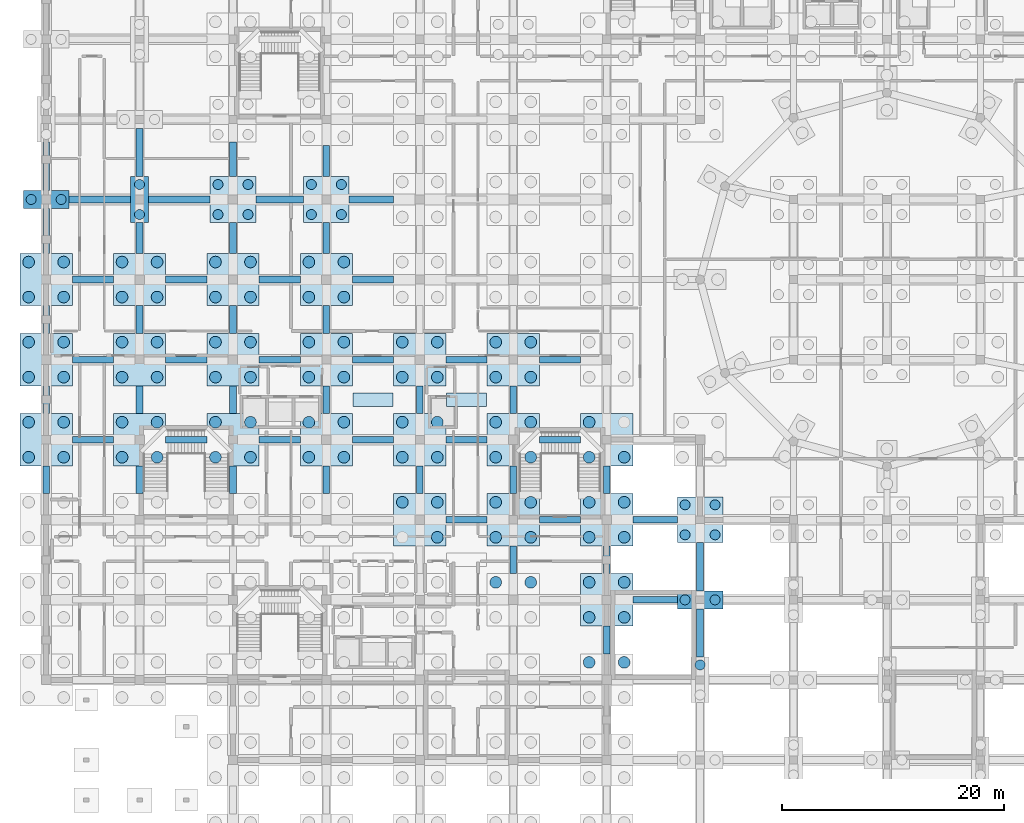
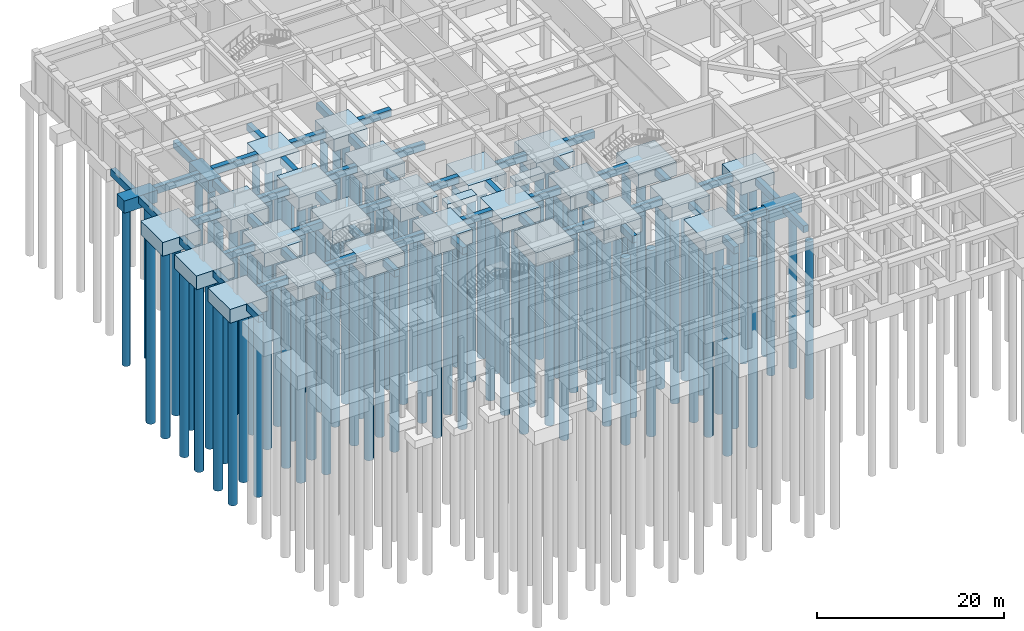
# One storey, part 2 of 32: 105 piles, 83 footings.
"""IFC4 building model written with IfcOpenShell, lengths in metres."""

from ifc_helpers import new_model, si_unit, derived_unit, direction, frame, origin, origin_2d, place, context, subcontext, project, spatial, rectangle, circle, extrude, material, material_profile, profile_set, type_object, element, save


model = new_model("IFC4")

# Units and contexts
model_context = context("Model", 3, precision=1e-05, world=origin(), true_north=direction((0.0, 1.0)))
body_context = subcontext(model_context, "Body", "Model", "MODEL_VIEW")
ifc_project = project(units=[si_unit("LENGTHUNIT", "METRE"), si_unit("AREAUNIT", "SQUARE_METRE"), si_unit("VOLUMEUNIT", "CUBIC_METRE"), si_unit("PLANEANGLEUNIT", "RADIAN"), si_unit("MASSUNIT", "GRAM", prefix="KILO"), derived_unit("THERMALTRANSMITTANCEUNIT", [(si_unit("POWERUNIT", "WATT"), 1), (si_unit("LENGTHUNIT", "METRE"), -2), (si_unit("THERMODYNAMICTEMPERATUREUNIT", "KELVIN"), -1)])], contexts=[model_context])

# Site, building, storey
site_placement = place(None, origin())
site = spatial("IfcSite", under=ifc_project, at=site_placement, CompositionType="ELEMENT")
building_placement = place(site_placement, origin())
building = spatial("IfcBuilding", under=site, at=building_placement, Name="Veybourne Emporium", CompositionType="ELEMENT")
storey_placement = place(building_placement, frame((0.0, 0.0, -5.39990234375)))
storey = spatial("IfcBuildingStorey", under=building, at=storey_placement, Name="B1", CompositionType="ELEMENT", Elevation=-5.39990234375)

# Footings
ifc_material = material(Name="Concrete C35/45", Category="concrete")
footing_type_1 = type_object("IfcFootingType", Name="GroundBeam_GB-2500", PredefinedType="FOOTING_BEAM", material=ifc_material)
for number, where, z_axis, x_axis, name in (
    (1, (0.0, 32.39990234375, -0.900146484375), (0.0, 0.0, 1.0), (0.0, 1.0, 0.0), "Ground tie beam GB-2500"),
    (2, (0.0, 39.60009765625, -0.900146484375), (0.0, 0.0, 1.0), (0.0, 1.0, 0.0), "Ground tie beam GB-2500"),
    (3, (0.0, 46.800048828125, -0.900146484375), (0.0, 0.0, 1.0), (0.0, 1.0, 0.0), "Ground tie beam GB-2500"),
    (4, (8.39990234375, 32.39990234375, -0.900146484375), (0.0, 0.0, 1.0), (0.0, 1.0, 0.0), "Ground tie beam GB-2500"),
    (5, (8.39990234375, 39.60009765625, -0.900146484375), (0.0, 0.0, 1.0), (0.0, 1.0, 0.0), "Ground tie beam GB-2500"),
    (6, (8.39990234375, 46.800048828125, -0.900146484375), (0.0, 0.0, 1.0), (0.0, 1.0, 0.0), "Ground tie beam GB-2500"),
    (7, (16.800048828125, 32.39990234375, -0.900146484375), (0.0, 0.0, 1.0), (0.0, 1.0, 0.0), "Ground tie beam GB-2500"),
    (8, (16.800048828125, 39.60009765625, -0.900146484375), (0.0, 0.0, 1.0), (0.0, 1.0, 0.0), "Ground tie beam GB-2500"),
    (9, (16.800048828125, 46.800048828125, -0.900146484375), (0.0, 0.0, 1.0), (0.0, 1.0, 0.0), "Ground tie beam GB-2500"),
    (10, (25.199951171875, 32.39990234375, -0.900146484375), (0.0, 0.0, 1.0), (0.0, 1.0, 0.0), "Ground tie beam GB-2500"),
    (11, (25.199951171875, 39.60009765625, -0.900146484375), (0.0, 0.0, 1.0), (0.0, 1.0, 0.0), "Ground tie beam GB-2500"),
    (12, (25.199951171875, 46.800048828125, -0.900146484375), (0.0, 0.0, 1.0), (0.0, 1.0, 0.0), "Ground tie beam GB-2500"),
    (13, (33.60009765625, 32.39990234375, -0.900146484375), (0.0, 0.0, 1.0), (0.0, 1.0, 0.0), "Ground tie beam GB-2500"),
    (14, (33.60009765625, 39.60009765625, -0.900146484375), (0.0, 0.0, 1.0), (0.0, 1.0, 0.0), "Ground tie beam GB-2500"),
    (15, (42.0, 25.199951171875, -0.900146484375), (0.0, 0.0, 1.0), (0.0, 1.0, 0.0), "Ground tie beam GB-2500"),
    (16, (42.0, 32.39990234375, -0.900146484375), (0.0, 0.0, 1.0), (0.0, 1.0, 0.0), "Ground tie beam GB-2500"),
    (17, (42.0, 39.60009765625, -0.900146484375), (0.0, 0.0, 1.0), (0.0, 1.0, 0.0), "Ground tie beam GB-2500"),
    (18, (50.39990234375, 18.0, -0.900146484375), (0.0, 0.0, 1.0), (0.0, 1.0, 0.0), "Ground tie beam GB-2500"),
    (19, (50.39990234375, 25.199951171875, -0.900146484375), (0.0, 0.0, 1.0), (0.0, 1.0, 0.0), "Ground tie beam GB-2500"),
    (20, (50.39990234375, 32.39990234375, -0.900146484375), (0.0, 0.0, 1.0), (0.0, 1.0, 0.0), "Ground tie beam GB-2500"),
):
    element("IfcFooting", number, at=place(storey_placement, frame(where, z_axis=z_axis, x_axis=x_axis)), inside=storey, type_object=footing_type_1, Name=name, PredefinedType="FOOTING_BEAM", context=body_context, shape_type="SweptSolid", body=[
        extrude(rectangle(XDim=2.5, YDim=0.60009765625, at=origin_2d()), origin(), (0.0, 0.0, 1.0), 0.89990234375),
    ])
footing_type_2 = type_object("IfcFootingType", Name="GroundBeam_GB-2800", PredefinedType="FOOTING_BEAM", material=ifc_material)
for number, where, z_axis, x_axis, name in (
    (21, (8.39990234375, 54.14990234375, -0.900146484375), (0.0, 0.0, 1.0), (0.0, 1.0, 0.0), "Ground tie beam GB-2800"),
    (22, (16.800048828125, 54.14990234375, -0.900146484375), (0.0, 0.0, 1.0), (0.0, 1.0, 0.0), "Ground tie beam GB-2800"),
    (23, (25.199951171875, 54.14990234375, -0.900146484375), (0.0, 0.0, 1.0), (0.0, 1.0, 0.0), "Ground tie beam GB-2800"),
    (24, (25.199951171875, 61.050048828125, -0.900146484375), (0.0, 0.0, 1.0), (0.0, 1.0, 0.0), "Ground tie beam GB-2800"),
):
    element("IfcFooting", number, at=place(storey_placement, frame(where, z_axis=z_axis, x_axis=x_axis)), inside=storey, type_object=footing_type_2, Name=name, PredefinedType="FOOTING_BEAM", context=body_context, shape_type="SweptSolid", body=[
        extrude(rectangle(XDim=2.800048828125, YDim=0.60009765625, at=origin_2d()), origin(), (0.0, 0.0, 1.0), 0.89990234375),
    ])
footing_type_3 = type_object("IfcFootingType", Name="GroundBeam_GB-3100", PredefinedType="FOOTING_BEAM", material=ifc_material)
footing_1_placement = place(storey_placement, frame((16.800048828125, 61.199951171875, -0.900146484375), z_axis=(0.0, 0.0, 1.0), x_axis=(0.0, 1.0, 0.0)))
element("IfcFooting", 25, at=footing_1_placement, inside=storey, type_object=footing_type_3, Name="Ground tie beam GB-3100", PredefinedType="FOOTING_BEAM", context=body_context, shape_type="SweptSolid", body=[
    extrude(rectangle(XDim=3.10009765625, YDim=0.60009765625, at=origin_2d()), origin(), (0.0, 0.0, 1.0), 0.89990234375),
])
footing_type_4 = type_object("IfcFootingType", Name="GroundBeam_GB-3700", PredefinedType="FOOTING_BEAM", material=ifc_material)
for number, where, z_axis, x_axis, name in (
    (26, (4.199951171875, 36.0, -0.900146484375), (0.0, 0.0, 1.0), (1.0, 0.0, 0.0), "Ground tie beam GB-3700"),
    (27, (4.199951171875, 43.199951171875, -0.900146484375), (0.0, 0.0, 1.0), (1.0, 0.0, 0.0), "Ground tie beam GB-3700"),
    (28, (4.199951171875, 50.39990234375, -0.900146484375), (0.0, 0.0, 1.0), (1.0, 0.0, 0.0), "Ground tie beam GB-3700"),
    (29, (12.60009765625, 36.0, -0.900146484375), (0.0, 0.0, 1.0), (1.0, 0.0, 0.0), "Ground tie beam GB-3700"),
    (30, (12.60009765625, 43.199951171875, -0.900146484375), (0.0, 0.0, 1.0), (1.0, 0.0, 0.0), "Ground tie beam GB-3700"),
    (31, (12.60009765625, 50.39990234375, -0.900146484375), (0.0, 0.0, 1.0), (1.0, 0.0, 0.0), "Ground tie beam GB-3700"),
    (32, (21.0, 36.0, -0.900146484375), (0.0, 0.0, 1.0), (1.0, 0.0, 0.0), "Ground tie beam GB-3700"),
    (33, (21.0, 43.199951171875, -0.900146484375), (0.0, 0.0, 1.0), (1.0, 0.0, 0.0), "Ground tie beam GB-3700"),
    (34, (21.0, 50.39990234375, -0.900146484375), (0.0, 0.0, 1.0), (1.0, 0.0, 0.0), "Ground tie beam GB-3700"),
    (35, (29.39990234375, 36.0, -0.900146484375), (0.0, 0.0, 1.0), (1.0, 0.0, 0.0), "Ground tie beam GB-3700"),
    (36, (29.39990234375, 43.199951171875, -0.900146484375), (0.0, 0.0, 1.0), (1.0, 0.0, 0.0), "Ground tie beam GB-3700"),
    (37, (29.39990234375, 50.39990234375, -0.900146484375), (0.0, 0.0, 1.0), (1.0, 0.0, 0.0), "Ground tie beam GB-3700"),
    (38, (37.800048828125, 28.800048828125, -0.900146484375), (0.0, 0.0, 1.0), (1.0, 0.0, 0.0), "Ground tie beam GB-3700"),
    (39, (37.800048828125, 36.0, -0.900146484375), (0.0, 0.0, 1.0), (1.0, 0.0, 0.0), "Ground tie beam GB-3700"),
    (40, (37.800048828125, 43.199951171875, -0.900146484375), (0.0, 0.0, 1.0), (1.0, 0.0, 0.0), "Ground tie beam GB-3700"),
    (41, (46.199951171875, 28.800048828125, -0.900146484375), (0.0, 0.0, 1.0), (1.0, 0.0, 0.0), "Ground tie beam GB-3700"),
    (42, (46.199951171875, 36.0, -0.900146484375), (0.0, 0.0, 1.0), (1.0, 0.0, 0.0), "Ground tie beam GB-3700"),
    (43, (46.199951171875, 43.199951171875, -0.900146484375), (0.0, 0.0, 1.0), (1.0, 0.0, 0.0), "Ground tie beam GB-3700"),
):
    element("IfcFooting", number, at=place(storey_placement, frame(where, z_axis=z_axis, x_axis=x_axis)), inside=storey, type_object=footing_type_4, Name=name, PredefinedType="FOOTING_BEAM", context=body_context, shape_type="SweptSolid", body=[
        extrude(rectangle(XDim=3.699951171875, YDim=0.60009765625, at=origin_2d()), origin(), (0.0, 0.0, 1.0), 0.89990234375),
    ])
footing_type_5 = type_object("IfcFootingType", Name="GroundBeam_GB-4000", PredefinedType="FOOTING_BEAM", material=ifc_material)
for number, where, z_axis, x_axis, name in (
    (44, (29.25, 57.60009765625, -0.900146484375), (0.0, 0.0, 1.0), (1.0, 0.0, 0.0), "Ground tie beam GB-4000"),
    (45, (54.75, 21.60009765625, -0.900146484375), (0.0, 0.0, 1.0), (1.0, 0.0, 0.0), "Ground tie beam GB-4000"),
    (46, (54.75, 28.800048828125, -0.900146484375), (0.0, 0.0, 1.0), (1.0, 0.0, 0.0), "Ground tie beam GB-4000"),
):
    element("IfcFooting", number, at=place(storey_placement, frame(where, z_axis=z_axis, x_axis=x_axis)), inside=storey, type_object=footing_type_5, Name=name, PredefinedType="FOOTING_BEAM", context=body_context, shape_type="SweptSolid", body=[
        extrude(rectangle(XDim=4.0, YDim=0.60009765625, at=origin_2d()), origin(), (0.0, 0.0, 1.0), 0.89990234375),
    ])
footing_type_6 = type_object("IfcFootingType", Name="GroundBeam_GB-4050", PredefinedType="FOOTING_BEAM", material=ifc_material)
footing_2_placement = place(storey_placement, frame((0.0, 54.77490234375, -0.900146484375), z_axis=(0.0, 0.0, 1.0), x_axis=(0.0, 1.0, 0.0)))
element("IfcFooting", 47, at=footing_2_placement, inside=storey, type_object=footing_type_6, Name="Ground tie beam GB-4050", PredefinedType="FOOTING_BEAM", context=body_context, shape_type="SweptSolid", body=[
    extrude(rectangle(XDim=4.050048828125, YDim=0.60009765625, at=origin_2d()), origin(), (0.0, 0.0, 1.0), 0.89990234375),
])
footing_type_7 = type_object("IfcFootingType", Name="GroundBeam_GB-4300", PredefinedType="FOOTING_BEAM", material=ifc_material)
footing_3_placement = place(storey_placement, frame((21.0, 57.60009765625, -0.900146484375), z_axis=(0.0, 0.0, 1.0), x_axis=(1.0, 0.0, 0.0)))
element("IfcFooting", 48, at=footing_3_placement, inside=storey, type_object=footing_type_7, Name="Ground tie beam GB-4300", PredefinedType="FOOTING_BEAM", context=body_context, shape_type="SweptSolid", body=[
    extrude(rectangle(XDim=4.300048828125, YDim=0.60009765625, at=origin_2d()), origin(), (0.0, 0.0, 1.0), 0.89990234375),
])
footing_type_8 = type_object("IfcFootingType", Name="GroundBeam_GB-4350", PredefinedType="FOOTING_BEAM", material=ifc_material)
for number, where, z_axis, x_axis, name in (
    (49, (0.0, 60.574951171875, -0.900146484375), (0.0, 0.0, 1.0), (0.0, 1.0, 0.0), "Ground tie beam GB-4350"),
    (50, (8.39990234375, 61.824951171875, -0.900146484375), (0.0, 0.0, 1.0), (0.0, 1.0, 0.0), "Ground tie beam GB-4350"),
    (51, (58.800048828125, 18.625, -0.900146484375), (0.0, 0.0, 1.0), (0.0, 1.0, 0.0), "Ground tie beam GB-4350"),
    (52, (58.800048828125, 24.574951171875, -0.900146484375), (0.0, 0.0, 1.0), (0.0, 1.0, 0.0), "Ground tie beam GB-4350"),
):
    element("IfcFooting", number, at=place(storey_placement, frame(where, z_axis=z_axis, x_axis=x_axis)), inside=storey, type_object=footing_type_8, Name=name, PredefinedType="FOOTING_BEAM", context=body_context, shape_type="SweptSolid", body=[
        extrude(rectangle(XDim=4.35009765625, YDim=0.60009765625, at=origin_2d()), origin(), (0.0, 0.0, 1.0), 0.89990234375),
    ])
footing_type_9 = type_object("IfcFootingType", Name="GroundBeam_GB-5550", PredefinedType="FOOTING_BEAM", material=ifc_material)
for number, where, z_axis, x_axis, name in (
    (53, (4.824951171875, 57.60009765625, -0.900146484375), (0.0, 0.0, 1.0), (1.0, 0.0, 0.0), "Ground tie beam GB-5550"),
    (54, (11.97509765625, 57.60009765625, -0.900146484375), (0.0, 0.0, 1.0), (1.0, 0.0, 0.0), "Ground tie beam GB-5550"),
):
    element("IfcFooting", number, at=place(storey_placement, frame(where, z_axis=z_axis, x_axis=x_axis)), inside=storey, type_object=footing_type_9, Name=name, PredefinedType="FOOTING_BEAM", context=body_context, shape_type="SweptSolid", body=[
        extrude(rectangle(XDim=5.550048828125, YDim=0.60009765625, at=origin_2d()), origin(), (0.0, 0.0, 1.0), 0.89990234375),
    ])
footing_type_10 = type_object("IfcFootingType", Name="PileCap_PC-02", PredefinedType="PILE_CAP", material=ifc_material)
for number, where, z_axis, x_axis, name in (
    (55, (0.0, 57.60009765625, -1.60009765625), (0.0, 0.0, 1.0), (1.0, 0.0, 0.0), "Pile cap PC-02 at grid (0,8)"),
    (56, (58.800048828125, 21.60009765625, -1.60009765625), (0.0, 0.0, 1.0), (1.0, 0.0, 0.0), "Pile cap PC-02 at grid (7,3)"),
):
    element("IfcFooting", number, at=place(storey_placement, frame(where, z_axis=z_axis, x_axis=x_axis)), inside=storey, type_object=footing_type_10, Name=name, PredefinedType="PILE_CAP", context=body_context, shape_type="SweptSolid", body=[
        extrude(rectangle(XDim=4.10009765625, YDim=1.60009765625, at=origin_2d()), origin(), (0.0, 0.0, 1.0), 1.60009765625),
    ])
footing_type_11 = type_object("IfcFootingType", Name="PileCap_PC-03", PredefinedType="PILE_CAP", material=ifc_material)
footing_4_placement = place(storey_placement, frame((8.39990234375, 57.60009765625, -1.60009765625), z_axis=(0.0, 0.0, 1.0), x_axis=(1.0, 0.0, 0.0)))
element("IfcFooting", 57, at=footing_4_placement, inside=storey, type_object=footing_type_11, Name="Pile cap PC-03 at grid (1,8)", PredefinedType="PILE_CAP", context=body_context, shape_type="SweptSolid", body=[
    extrude(rectangle(XDim=1.60009765625, YDim=4.10009765625, at=origin_2d()), origin(), (0.0, 0.0, 1.0), 1.60009765625),
])
footing_type_12 = type_object("IfcFootingType", Name="PileCap_PC-04", PredefinedType="PILE_CAP", material=ifc_material)
for number, where, z_axis, x_axis, name in (
    (58, (16.800048828125, 57.60009765625, -1.60009765625), (0.0, 0.0, 1.0), (1.0, 0.0, 0.0), "Pile cap PC-04 at grid (2,8)"),
    (59, (25.199951171875, 57.60009765625, -1.60009765625), (0.0, 0.0, 1.0), (1.0, 0.0, 0.0), "Pile cap PC-04 at grid (3,8)"),
    (60, (58.800048828125, 28.800048828125, -1.60009765625), (0.0, 0.0, 1.0), (1.0, 0.0, 0.0), "Pile cap PC-04 at grid (7,4)"),
):
    element("IfcFooting", number, at=place(storey_placement, frame(where, z_axis=z_axis, x_axis=x_axis)), inside=storey, type_object=footing_type_12, Name=name, PredefinedType="PILE_CAP", context=body_context, shape_type="SweptSolid", body=[
        extrude(rectangle(XDim=4.10009765625, YDim=4.10009765625, at=origin_2d()), origin(), (0.0, 0.0, 1.0), 1.60009765625),
    ])
footing_type_13 = type_object("IfcFootingType", Name="PileCap_PC-05", PredefinedType="PILE_CAP", material=ifc_material)
for number, where, z_axis, x_axis, name in (
    (61, (0.0, 36.0, -1.80029296875), (0.0, 0.0, 1.0), (1.0, 0.0, 0.0), "Pile cap PC-05 at grid (0,5)"),
    (62, (0.0, 43.199951171875, -1.80029296875), (0.0, 0.0, 1.0), (1.0, 0.0, 0.0), "Pile cap PC-05 at grid (0,6)"),
    (63, (0.0, 50.39990234375, -1.80029296875), (0.0, 0.0, 1.0), (1.0, 0.0, 0.0), "Pile cap PC-05 at grid (0,7)"),
    (64, (8.39990234375, 36.0, -1.80029296875), (0.0, 0.0, 1.0), (1.0, 0.0, 0.0), "Pile cap PC-05 at grid (1,5)"),
    (65, (8.39990234375, 43.199951171875, -1.80029296875), (0.0, 0.0, 1.0), (1.0, 0.0, 0.0), "Pile cap PC-05 at grid (1,6)"),
    (66, (8.39990234375, 50.39990234375, -1.80029296875), (0.0, 0.0, 1.0), (1.0, 0.0, 0.0), "Pile cap PC-05 at grid (1,7)"),
    (67, (16.800048828125, 36.0, -1.80029296875), (0.0, 0.0, 1.0), (1.0, 0.0, 0.0), "Pile cap PC-05 at grid (2,5)"),
    (68, (16.800048828125, 43.199951171875, -1.80029296875), (0.0, 0.0, 1.0), (1.0, 0.0, 0.0), "Pile cap PC-05 at grid (2,6)"),
    (69, (16.800048828125, 50.39990234375, -1.80029296875), (0.0, 0.0, 1.0), (1.0, 0.0, 0.0), "Pile cap PC-05 at grid (2,7)"),
    (70, (25.199951171875, 36.0, -1.80029296875), (0.0, 0.0, 1.0), (1.0, 0.0, 0.0), "Pile cap PC-05 at grid (3,5)"),
    (71, (25.199951171875, 43.199951171875, -1.80029296875), (0.0, 0.0, 1.0), (1.0, 0.0, 0.0), "Pile cap PC-05 at grid (3,6)"),
    (72, (25.199951171875, 50.39990234375, -1.80029296875), (0.0, 0.0, 1.0), (1.0, 0.0, 0.0), "Pile cap PC-05 at grid (3,7)"),
    (73, (33.60009765625, 28.800048828125, -1.80029296875), (0.0, 0.0, 1.0), (1.0, 0.0, 0.0), "Pile cap PC-05 at grid (4,4)"),
    (74, (33.60009765625, 36.0, -1.80029296875), (0.0, 0.0, 1.0), (1.0, 0.0, 0.0), "Pile cap PC-05 at grid (4,5)"),
    (75, (33.60009765625, 43.199951171875, -1.80029296875), (0.0, 0.0, 1.0), (1.0, 0.0, 0.0), "Pile cap PC-05 at grid (4,6)"),
    (76, (42.0, 28.800048828125, -1.80029296875), (0.0, 0.0, 1.0), (1.0, 0.0, 0.0), "Pile cap PC-05 at grid (5,4)"),
    (77, (42.0, 36.0, -1.80029296875), (0.0, 0.0, 1.0), (1.0, 0.0, 0.0), "Pile cap PC-05 at grid (5,5)"),
    (78, (42.0, 43.199951171875, -1.80029296875), (0.0, 0.0, 1.0), (1.0, 0.0, 0.0), "Pile cap PC-05 at grid (5,6)"),
    (79, (50.39990234375, 21.60009765625, -1.80029296875), (0.0, 0.0, 1.0), (1.0, 0.0, 0.0), "Pile cap PC-05 at grid (6,3)"),
    (80, (50.39990234375, 28.800048828125, -1.80029296875), (0.0, 0.0, 1.0), (1.0, 0.0, 0.0), "Pile cap PC-05 at grid (6,4)"),
    (81, (50.39990234375, 36.0, -1.80029296875), (0.0, 0.0, 1.0), (1.0, 0.0, 0.0), "Pile cap PC-05 at grid (6,5)"),
):
    element("IfcFooting", number, at=place(storey_placement, frame(where, z_axis=z_axis, x_axis=x_axis)), inside=storey, type_object=footing_type_13, Name=name, PredefinedType="PILE_CAP", context=body_context, shape_type="SweptSolid", body=[
        extrude(rectangle(XDim=4.699951171875, YDim=4.699951171875, at=origin_2d()), origin(), (0.0, 0.0, 1.0), 1.800048828125),
    ])

# Piles
ifc_material_profile_1 = material_profile(ifc_material, circle(Radius=0.449951171875, at=origin_2d()), Name="BORED PILE 900")
ifc_profile_set_1 = profile_set([ifc_material_profile_1], Name="Concrete C35/45")
pile_type_1 = type_object("IfcPileType", Name="Pile_P-01", PredefinedType="BORED", material=ifc_profile_set_1)
for number, where, z_axis, x_axis, name in (
    (82, (15.449951171875, 56.25, -1.4501953125), (0.0, 0.0, -1.0), (1.0, 0.0, 0.0), "Bored pile P-01-097"),
    (83, (18.14990234375, 56.25, -1.4501953125), (0.0, 0.0, -1.0), (1.0, 0.0, 0.0), "Bored pile P-01-098"),
    (84, (15.449951171875, 58.949951171875, -1.4501953125), (0.0, 0.0, -1.0), (1.0, 0.0, 0.0), "Bored pile P-01-099"),
    (85, (18.14990234375, 58.949951171875, -1.4501953125), (0.0, 0.0, -1.0), (1.0, 0.0, 0.0), "Bored pile P-01-100"),
    (86, (23.85009765625, 56.25, -1.4501953125), (0.0, 0.0, -1.0), (1.0, 0.0, 0.0), "Bored pile P-01-149"),
    (87, (26.550048828125, 56.25, -1.4501953125), (0.0, 0.0, -1.0), (1.0, 0.0, 0.0), "Bored pile P-01-150"),
    (88, (23.85009765625, 58.949951171875, -1.4501953125), (0.0, 0.0, -1.0), (1.0, 0.0, 0.0), "Bored pile P-01-151"),
    (89, (26.550048828125, 58.949951171875, -1.4501953125), (0.0, 0.0, -1.0), (1.0, 0.0, 0.0), "Bored pile P-01-152"),
    (90, (57.449951171875, 27.449951171875, -1.4501953125), (0.0, 0.0, -1.0), (1.0, 0.0, 0.0), "Bored pile P-01-363"),
    (91, (60.14990234375, 27.449951171875, -1.4501953125), (0.0, 0.0, -1.0), (1.0, 0.0, 0.0), "Bored pile P-01-364"),
    (92, (57.449951171875, 30.14990234375, -1.4501953125), (0.0, 0.0, -1.0), (1.0, 0.0, 0.0), "Bored pile P-01-365"),
    (93, (60.14990234375, 30.14990234375, -1.4501953125), (0.0, 0.0, -1.0), (1.0, 0.0, 0.0), "Bored pile P-01-366"),
):
    element("IfcPile", number, at=place(storey_placement, frame(where, z_axis=z_axis, x_axis=x_axis)), inside=storey, type_object=pile_type_1, Name=name, PredefinedType="BORED", context=body_context, shape_type="SweptSolid", body=[
        extrude(circle(Radius=0.449951171875, at=origin_2d()), origin(), (0.0, 0.0, 1.0), 22.550048828125),
    ])
ifc_material_profile_2 = material_profile(ifc_material, circle(Radius=0.52490234375, at=origin_2d()), Name="BORED PILE 1050")
ifc_profile_set_2 = profile_set([ifc_material_profile_2], Name="Concrete C35/45")
pile_type_2 = type_object("IfcPileType", Name="Pile_P-02", PredefinedType="BORED", material=ifc_profile_set_2)
for number, where, z_axis, x_axis, name in (
    (94, (-1.574951171875, 34.425048828125, -1.650146484375), (0.0, 0.0, -1.0), (1.0, 0.0, 0.0), "Bored pile P-02-013"),
    (95, (1.574951171875, 34.425048828125, -1.650146484375), (0.0, 0.0, -1.0), (1.0, 0.0, 0.0), "Bored pile P-02-014"),
    (96, (-1.574951171875, 37.574951171875, -1.650146484375), (0.0, 0.0, -1.0), (1.0, 0.0, 0.0), "Bored pile P-02-015"),
    (97, (1.574951171875, 37.574951171875, -1.650146484375), (0.0, 0.0, -1.0), (1.0, 0.0, 0.0), "Bored pile P-02-016"),
    (98, (-1.574951171875, 41.625, -1.650146484375), (0.0, 0.0, -1.0), (1.0, 0.0, 0.0), "Bored pile P-02-017"),
    (99, (1.574951171875, 41.625, -1.650146484375), (0.0, 0.0, -1.0), (1.0, 0.0, 0.0), "Bored pile P-02-018"),
    (100, (-1.574951171875, 44.77490234375, -1.650146484375), (0.0, 0.0, -1.0), (1.0, 0.0, 0.0), "Bored pile P-02-019"),
    (101, (1.574951171875, 44.77490234375, -1.650146484375), (0.0, 0.0, -1.0), (1.0, 0.0, 0.0), "Bored pile P-02-020"),
    (102, (-1.574951171875, 48.824951171875, -1.650146484375), (0.0, 0.0, -1.0), (1.0, 0.0, 0.0), "Bored pile P-02-021"),
    (103, (1.574951171875, 48.824951171875, -1.650146484375), (0.0, 0.0, -1.0), (1.0, 0.0, 0.0), "Bored pile P-02-022"),
    (104, (-1.574951171875, 51.97509765625, -1.650146484375), (0.0, 0.0, -1.0), (1.0, 0.0, 0.0), "Bored pile P-02-023"),
    (105, (1.574951171875, 51.97509765625, -1.650146484375), (0.0, 0.0, -1.0), (1.0, 0.0, 0.0), "Bored pile P-02-024"),
    (106, (6.824951171875, 41.625, -1.650146484375), (0.0, 0.0, -1.0), (1.0, 0.0, 0.0), "Bored pile P-02-049"),
    (107, (9.97509765625, 41.625, -1.650146484375), (0.0, 0.0, -1.0), (1.0, 0.0, 0.0), "Bored pile P-02-050"),
    (108, (6.824951171875, 44.77490234375, -1.650146484375), (0.0, 0.0, -1.0), (1.0, 0.0, 0.0), "Bored pile P-02-051"),
    (109, (9.97509765625, 44.77490234375, -1.650146484375), (0.0, 0.0, -1.0), (1.0, 0.0, 0.0), "Bored pile P-02-052"),
    (110, (6.824951171875, 48.824951171875, -1.650146484375), (0.0, 0.0, -1.0), (1.0, 0.0, 0.0), "Bored pile P-02-053"),
    (111, (9.97509765625, 48.824951171875, -1.650146484375), (0.0, 0.0, -1.0), (1.0, 0.0, 0.0), "Bored pile P-02-054"),
    (112, (6.824951171875, 51.97509765625, -1.650146484375), (0.0, 0.0, -1.0), (1.0, 0.0, 0.0), "Bored pile P-02-055"),
    (113, (9.97509765625, 51.97509765625, -1.650146484375), (0.0, 0.0, -1.0), (1.0, 0.0, 0.0), "Bored pile P-02-056"),
    (114, (15.22509765625, 48.824951171875, -1.650146484375), (0.0, 0.0, -1.0), (1.0, 0.0, 0.0), "Bored pile P-02-093"),
    (115, (18.375, 48.824951171875, -1.650146484375), (0.0, 0.0, -1.0), (1.0, 0.0, 0.0), "Bored pile P-02-094"),
    (116, (15.22509765625, 51.97509765625, -1.650146484375), (0.0, 0.0, -1.0), (1.0, 0.0, 0.0), "Bored pile P-02-095"),
    (117, (18.375, 51.97509765625, -1.650146484375), (0.0, 0.0, -1.0), (1.0, 0.0, 0.0), "Bored pile P-02-096"),
    (118, (23.625, 48.824951171875, -1.650146484375), (0.0, 0.0, -1.0), (1.0, 0.0, 0.0), "Bored pile P-02-145"),
    (119, (26.77490234375, 48.824951171875, -1.650146484375), (0.0, 0.0, -1.0), (1.0, 0.0, 0.0), "Bored pile P-02-146"),
    (120, (23.625, 51.97509765625, -1.650146484375), (0.0, 0.0, -1.0), (1.0, 0.0, 0.0), "Bored pile P-02-147"),
    (121, (26.77490234375, 51.97509765625, -1.650146484375), (0.0, 0.0, -1.0), (1.0, 0.0, 0.0), "Bored pile P-02-148"),
    (122, (35.175048828125, 27.22509765625, -1.650146484375), (0.0, 0.0, -1.0), (1.0, 0.0, 0.0), "Bored pile P-02-186"),
    (123, (32.02490234375, 30.375, -1.650146484375), (0.0, 0.0, -1.0), (1.0, 0.0, 0.0), "Bored pile P-02-187"),
    (124, (35.175048828125, 30.375, -1.650146484375), (0.0, 0.0, -1.0), (1.0, 0.0, 0.0), "Bored pile P-02-188"),
    (125, (40.425048828125, 23.175048828125, -1.650146484375), (0.0, 0.0, -1.0), (1.0, 0.0, 0.0), "Bored pile P-02-243"),
    (126, (43.574951171875, 23.175048828125, -1.650146484375), (0.0, 0.0, -1.0), (1.0, 0.0, 0.0), "Bored pile P-02-244"),
    (127, (48.824951171875, 15.97509765625, -1.650146484375), (0.0, 0.0, -1.0), (1.0, 0.0, 0.0), "Bored pile P-02-301"),
    (128, (51.97509765625, 15.97509765625, -1.650146484375), (0.0, 0.0, -1.0), (1.0, 0.0, 0.0), "Bored pile P-02-302"),
    (129, (48.824951171875, 20.02490234375, -1.650146484375), (0.0, 0.0, -1.0), (1.0, 0.0, 0.0), "Bored pile P-02-303"),
    (130, (51.97509765625, 20.02490234375, -1.650146484375), (0.0, 0.0, -1.0), (1.0, 0.0, 0.0), "Bored pile P-02-304"),
    (131, (48.824951171875, 23.175048828125, -1.650146484375), (0.0, 0.0, -1.0), (1.0, 0.0, 0.0), "Bored pile P-02-305"),
    (132, (51.97509765625, 23.175048828125, -1.650146484375), (0.0, 0.0, -1.0), (1.0, 0.0, 0.0), "Bored pile P-02-306"),
):
    element("IfcPile", number, at=place(storey_placement, frame(where, z_axis=z_axis, x_axis=x_axis)), inside=storey, type_object=pile_type_2, Name=name, PredefinedType="BORED", context=body_context, shape_type="SweptSolid", body=[
        extrude(circle(Radius=0.52490234375, at=origin_2d()), origin(), (0.0, 0.0, 1.0), 24.35009765625),
    ])
ifc_material_profile_3 = material_profile(ifc_material, circle(Radius=0.449951171875, at=origin_2d()), Name="BORED PILE 900")
ifc_profile_set_3 = profile_set([ifc_material_profile_3], Name="Concrete C35/45")
pile_type_3 = type_object("IfcPileType", Name="Pile_P-03", PredefinedType="BORED", material=ifc_profile_set_3)
for number, where, z_axis, x_axis, name in (
    (133, (-1.35009765625, 57.60009765625, -1.4501953125), (0.0, 0.0, -1.0), (1.0, 0.0, 0.0), "Bored pile P-03-025"),
    (134, (1.35009765625, 57.60009765625, -1.4501953125), (0.0, 0.0, -1.0), (1.0, 0.0, 0.0), "Bored pile P-03-026"),
    (135, (8.39990234375, 56.25, -1.4501953125), (0.0, 0.0, -1.0), (1.0, 0.0, 0.0), "Bored pile P-03-057"),
    (136, (8.39990234375, 58.949951171875, -1.4501953125), (0.0, 0.0, -1.0), (1.0, 0.0, 0.0), "Bored pile P-03-058"),
    (137, (58.800048828125, 15.75, -1.4501953125), (0.0, 0.0, -1.0), (1.0, 0.0, 0.0), "Bored pile P-03-360"),
    (138, (57.449951171875, 21.60009765625, -1.4501953125), (0.0, 0.0, -1.0), (1.0, 0.0, 0.0), "Bored pile P-03-361"),
    (139, (60.14990234375, 21.60009765625, -1.4501953125), (0.0, 0.0, -1.0), (1.0, 0.0, 0.0), "Bored pile P-03-362"),
):
    element("IfcPile", number, at=place(storey_placement, frame(where, z_axis=z_axis, x_axis=x_axis)), inside=storey, type_object=pile_type_3, Name=name, PredefinedType="BORED", context=body_context, shape_type="SweptSolid", body=[
        extrude(circle(Radius=0.449951171875, at=origin_2d()), origin(), (0.0, 0.0, 1.0), 20.550048828125),
    ])
ifc_material_profile_4 = material_profile(ifc_material, circle(Radius=0.52490234375, at=origin_2d()), Name="BORED PILE 1050")
ifc_profile_set_4 = profile_set([ifc_material_profile_4], Name="Concrete C35/45")
pile_type_4 = type_object("IfcPileType", Name="Pile_P-04", PredefinedType="BORED", material=ifc_profile_set_4)
for number, where, z_axis, x_axis, name in (
    (140, (6.824951171875, 34.425048828125, -1.650146484375), (0.0, 0.0, -1.0), (1.0, 0.0, 0.0), "Bored pile P-04-045"),
    (141, (9.97509765625, 34.425048828125, -1.650146484375), (0.0, 0.0, -1.0), (1.0, 0.0, 0.0), "Bored pile P-04-046"),
    (142, (6.824951171875, 37.574951171875, -1.650146484375), (0.0, 0.0, -1.0), (1.0, 0.0, 0.0), "Bored pile P-04-047"),
    (143, (9.97509765625, 37.574951171875, -1.650146484375), (0.0, 0.0, -1.0), (1.0, 0.0, 0.0), "Bored pile P-04-048"),
    (144, (15.22509765625, 34.425048828125, -1.650146484375), (0.0, 0.0, -1.0), (1.0, 0.0, 0.0), "Bored pile P-04-085"),
    (145, (18.375, 34.425048828125, -1.650146484375), (0.0, 0.0, -1.0), (1.0, 0.0, 0.0), "Bored pile P-04-086"),
    (146, (15.22509765625, 37.574951171875, -1.650146484375), (0.0, 0.0, -1.0), (1.0, 0.0, 0.0), "Bored pile P-04-087"),
    (147, (18.375, 37.574951171875, -1.650146484375), (0.0, 0.0, -1.0), (1.0, 0.0, 0.0), "Bored pile P-04-088"),
    (148, (15.22509765625, 41.625, -1.650146484375), (0.0, 0.0, -1.0), (1.0, 0.0, 0.0), "Bored pile P-04-089"),
    (149, (18.375, 41.625, -1.650146484375), (0.0, 0.0, -1.0), (1.0, 0.0, 0.0), "Bored pile P-04-090"),
    (150, (15.22509765625, 44.77490234375, -1.650146484375), (0.0, 0.0, -1.0), (1.0, 0.0, 0.0), "Bored pile P-04-091"),
    (151, (18.375, 44.77490234375, -1.650146484375), (0.0, 0.0, -1.0), (1.0, 0.0, 0.0), "Bored pile P-04-092"),
    (152, (23.625, 34.425048828125, -1.650146484375), (0.0, 0.0, -1.0), (1.0, 0.0, 0.0), "Bored pile P-04-137"),
    (153, (26.77490234375, 34.425048828125, -1.650146484375), (0.0, 0.0, -1.0), (1.0, 0.0, 0.0), "Bored pile P-04-138"),
    (154, (23.625, 37.574951171875, -1.650146484375), (0.0, 0.0, -1.0), (1.0, 0.0, 0.0), "Bored pile P-04-139"),
    (155, (26.77490234375, 37.574951171875, -1.650146484375), (0.0, 0.0, -1.0), (1.0, 0.0, 0.0), "Bored pile P-04-140"),
    (156, (23.625, 41.625, -1.650146484375), (0.0, 0.0, -1.0), (1.0, 0.0, 0.0), "Bored pile P-04-141"),
    (157, (26.77490234375, 41.625, -1.650146484375), (0.0, 0.0, -1.0), (1.0, 0.0, 0.0), "Bored pile P-04-142"),
    (158, (23.625, 44.77490234375, -1.650146484375), (0.0, 0.0, -1.0), (1.0, 0.0, 0.0), "Bored pile P-04-143"),
    (159, (26.77490234375, 44.77490234375, -1.650146484375), (0.0, 0.0, -1.0), (1.0, 0.0, 0.0), "Bored pile P-04-144"),
    (160, (32.02490234375, 34.425048828125, -1.650146484375), (0.0, 0.0, -1.0), (1.0, 0.0, 0.0), "Bored pile P-04-189"),
    (161, (35.175048828125, 34.425048828125, -1.650146484375), (0.0, 0.0, -1.0), (1.0, 0.0, 0.0), "Bored pile P-04-190"),
    (162, (32.02490234375, 37.574951171875, -1.650146484375), (0.0, 0.0, -1.0), (1.0, 0.0, 0.0), "Bored pile P-04-191"),
    (163, (35.175048828125, 37.574951171875, -1.650146484375), (0.0, 0.0, -1.0), (1.0, 0.0, 0.0), "Bored pile P-04-192"),
    (164, (32.02490234375, 41.625, -1.650146484375), (0.0, 0.0, -1.0), (1.0, 0.0, 0.0), "Bored pile P-04-193"),
    (165, (35.175048828125, 41.625, -1.650146484375), (0.0, 0.0, -1.0), (1.0, 0.0, 0.0), "Bored pile P-04-194"),
    (166, (32.02490234375, 44.77490234375, -1.650146484375), (0.0, 0.0, -1.0), (1.0, 0.0, 0.0), "Bored pile P-04-195"),
    (167, (35.175048828125, 44.77490234375, -1.650146484375), (0.0, 0.0, -1.0), (1.0, 0.0, 0.0), "Bored pile P-04-196"),
    (168, (40.425048828125, 27.22509765625, -1.650146484375), (0.0, 0.0, -1.0), (1.0, 0.0, 0.0), "Bored pile P-04-245"),
    (169, (43.574951171875, 27.22509765625, -1.650146484375), (0.0, 0.0, -1.0), (1.0, 0.0, 0.0), "Bored pile P-04-246"),
    (170, (40.425048828125, 30.375, -1.650146484375), (0.0, 0.0, -1.0), (1.0, 0.0, 0.0), "Bored pile P-04-247"),
    (171, (43.574951171875, 30.375, -1.650146484375), (0.0, 0.0, -1.0), (1.0, 0.0, 0.0), "Bored pile P-04-248"),
    (172, (40.425048828125, 34.425048828125, -1.650146484375), (0.0, 0.0, -1.0), (1.0, 0.0, 0.0), "Bored pile P-04-249"),
    (173, (43.574951171875, 34.425048828125, -1.650146484375), (0.0, 0.0, -1.0), (1.0, 0.0, 0.0), "Bored pile P-04-250"),
    (174, (40.425048828125, 37.574951171875, -1.650146484375), (0.0, 0.0, -1.0), (1.0, 0.0, 0.0), "Bored pile P-04-251"),
    (175, (43.574951171875, 37.574951171875, -1.650146484375), (0.0, 0.0, -1.0), (1.0, 0.0, 0.0), "Bored pile P-04-252"),
    (176, (40.425048828125, 41.625, -1.650146484375), (0.0, 0.0, -1.0), (1.0, 0.0, 0.0), "Bored pile P-04-253"),
    (177, (43.574951171875, 41.625, -1.650146484375), (0.0, 0.0, -1.0), (1.0, 0.0, 0.0), "Bored pile P-04-254"),
    (178, (40.425048828125, 44.77490234375, -1.650146484375), (0.0, 0.0, -1.0), (1.0, 0.0, 0.0), "Bored pile P-04-255"),
    (179, (43.574951171875, 44.77490234375, -1.650146484375), (0.0, 0.0, -1.0), (1.0, 0.0, 0.0), "Bored pile P-04-256"),
    (180, (48.824951171875, 27.22509765625, -1.650146484375), (0.0, 0.0, -1.0), (1.0, 0.0, 0.0), "Bored pile P-04-307"),
    (181, (51.97509765625, 27.22509765625, -1.650146484375), (0.0, 0.0, -1.0), (1.0, 0.0, 0.0), "Bored pile P-04-308"),
    (182, (48.824951171875, 30.375, -1.650146484375), (0.0, 0.0, -1.0), (1.0, 0.0, 0.0), "Bored pile P-04-309"),
    (183, (51.97509765625, 30.375, -1.650146484375), (0.0, 0.0, -1.0), (1.0, 0.0, 0.0), "Bored pile P-04-310"),
    (184, (48.824951171875, 34.425048828125, -1.650146484375), (0.0, 0.0, -1.0), (1.0, 0.0, 0.0), "Bored pile P-04-311"),
    (185, (51.97509765625, 34.425048828125, -1.650146484375), (0.0, 0.0, -1.0), (1.0, 0.0, 0.0), "Bored pile P-04-312"),
    (186, (48.824951171875, 37.574951171875, -1.650146484375), (0.0, 0.0, -1.0), (1.0, 0.0, 0.0), "Bored pile P-04-313"),
):
    element("IfcPile", number, at=place(storey_placement, frame(where, z_axis=z_axis, x_axis=x_axis)), inside=storey, type_object=pile_type_4, Name=name, PredefinedType="BORED", context=body_context, shape_type="SweptSolid", body=[
        extrude(circle(Radius=0.52490234375, at=origin_2d()), origin(), (0.0, 0.0, 1.0), 24.35009765625),
    ])

# Footings
footing_type_14 = type_object("IfcFootingType", Name="StripFooting_SF-01", PredefinedType="STRIP_FOOTING", material=ifc_material)
for number, where, z_axis, x_axis, name in (
    (187, (29.39990234375, 39.60009765625, -0.80029296875), (0.0, 0.0, 1.0), (1.0, 0.0, 0.0), "Strip footing SF-01-03"),
    (188, (37.800048828125, 39.60009765625, -0.80029296875), (0.0, 0.0, 1.0), (1.0, 0.0, 0.0), "Strip footing SF-01-04"),
):
    element("IfcFooting", number, at=place(storey_placement, frame(where, z_axis=z_axis, x_axis=x_axis)), inside=storey, type_object=footing_type_14, Name=name, PredefinedType="STRIP_FOOTING", context=body_context, shape_type="SweptSolid", body=[
        extrude(rectangle(XDim=3.60009765625, YDim=1.199951171875, at=origin_2d()), origin(), (0.0, 0.0, 1.0), 0.800048828125),
    ])

save(model, "model.ifc")
